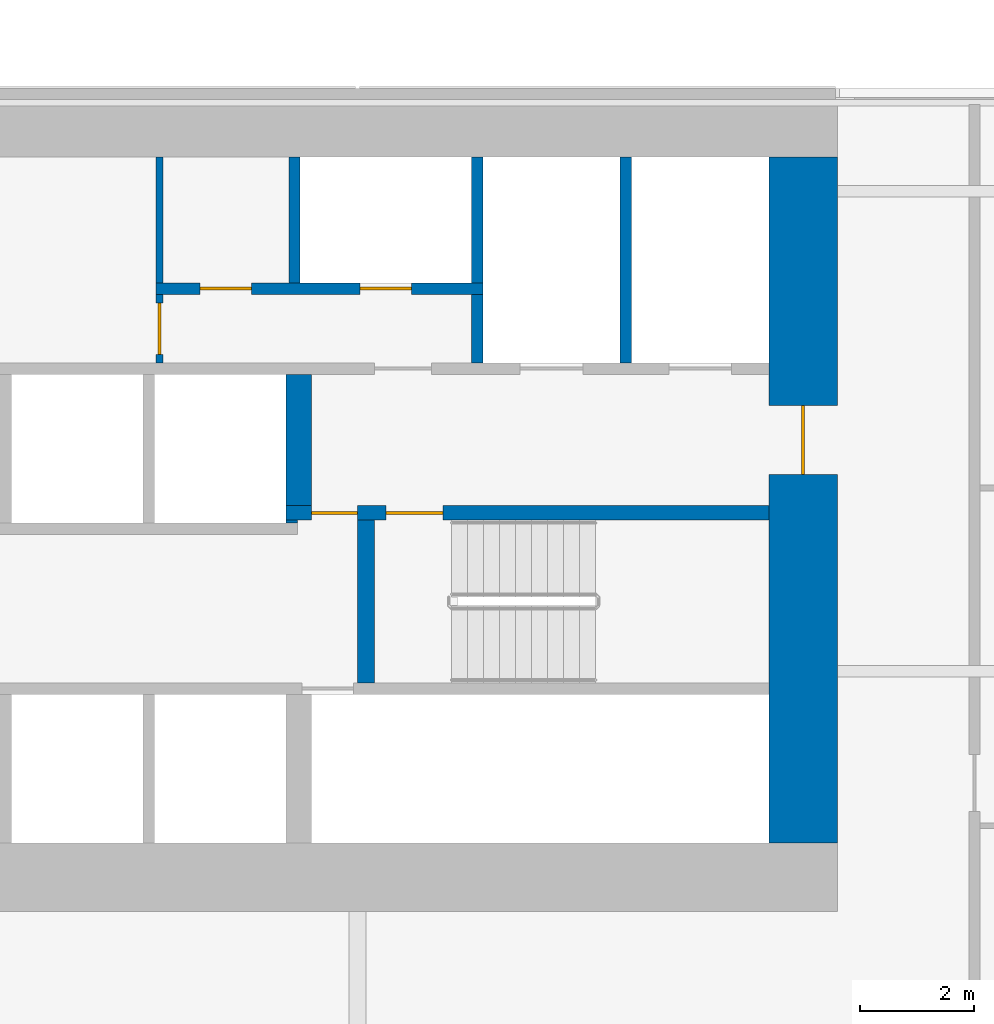
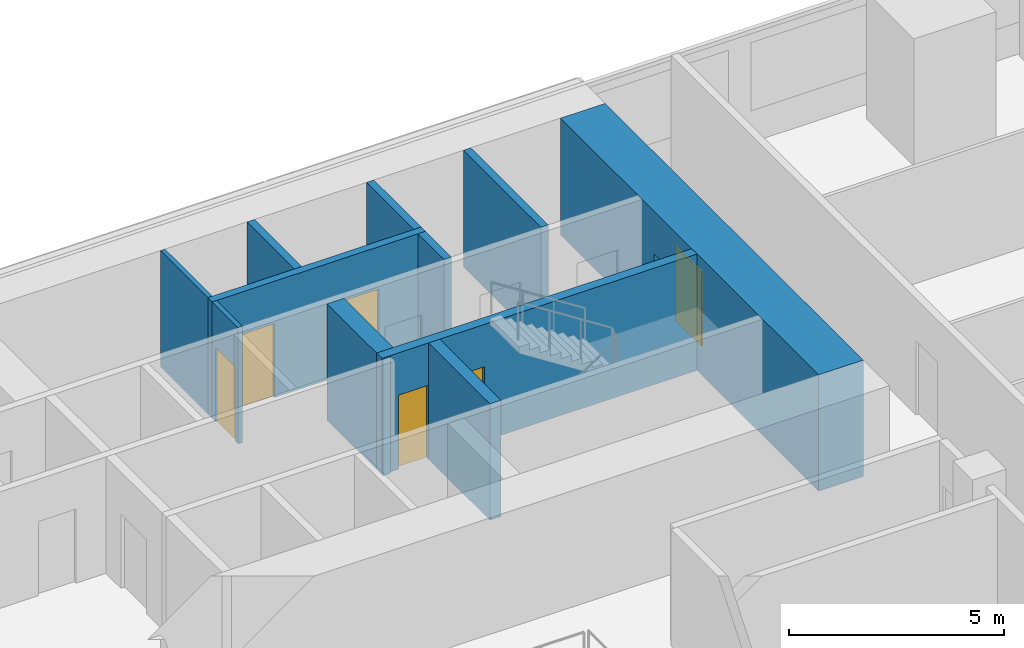
# One storey, part 21 of 25: 12 walls, 6 doors, 6 openings.
"""IFC4 building model written with IfcOpenShell, lengths in metres."""

from ifc_helpers import new_model, si_unit, direction, frame, frame_2d, origin, place, context, subcontext, project, spatial, rectangle, extrude, material, layer, layer_set, type_object, element, fill, save


model = new_model("IFC4")

# Units and contexts
model_context = context("Model", 3, precision=1e-05, world=origin(), true_north=direction((0.0, 1.0)))
body_context = subcontext(model_context, "Body", "Model", "MODEL_VIEW")
ifc_project = project(units=[si_unit("LENGTHUNIT", "METRE"), si_unit("AREAUNIT", "SQUARE_METRE"), si_unit("VOLUMEUNIT", "CUBIC_METRE"), si_unit("PLANEANGLEUNIT", "RADIAN"), si_unit("MASSUNIT", "GRAM", prefix="KILO")], contexts=[model_context])

# Site, building, storey
site_placement = place(None, origin())
site = spatial("IfcSite", under=ifc_project, at=site_placement, CompositionType="ELEMENT")
building_placement = place(site_placement, origin())
building = spatial("IfcBuilding", under=site, at=building_placement, Name="Saffron Gate Tower", CompositionType="ELEMENT")
storey_placement = place(building_placement, frame((0.0, 0.0, 80.39990234375)))
storey = spatial("IfcBuildingStorey", under=building, at=storey_placement, Name="L19", CompositionType="ELEMENT", Elevation=80.39990234375)

# Wall, opening, door
ifc_material_1 = material(Name="Concrete C70", Category="concrete")
ifc_layer_1 = layer(ifc_material_1, 1.199951171875)
ifc_layer_set_1 = layer_set([ifc_layer_1], Name="CW1 RC core wall 1200 C70")
wall_type_1 = type_object("IfcWallType", Name="CW1 RC core wall 1200 C70", PredefinedType="SOLIDWALL", material=ifc_layer_set_1)
wall_1_placement = place(storey_placement, frame((108.0, 62.39990234375, 0.0), z_axis=(0.0, 0.0, 1.0), x_axis=(0.0, 1.0, 0.0)))
wall_1 = element("IfcWall", 1, at=wall_1_placement, inside=storey, type_object=wall_type_1, Name="Wall CW1-L19-4", PredefinedType="SOLIDWALL", context=body_context, shape_type="SweptSolid", body=[
    extrude(rectangle(XDim=12.0, YDim=1.199951171875, at=frame_2d((6.0, 0.0))), origin(), (0.0, 0.0, 1.0), 3.300048828125),
])
opening_1_placement = place(wall_1_placement, frame((6.449951171875, 0.0, 0.0)))
opening_1 = element("IfcOpeningElement", 2, at=opening_1_placement, cuts=wall_1, Name="Opening CR-08", PredefinedType="OPENING", context=body_context, shape_type="SweptSolid", body=[
    extrude(rectangle(XDim=1.199951171875, YDim=2.10009765625, at=frame_2d((0.60009765625, 1.050048828125))), frame((0.0, 0.60986328125, 0.0), z_axis=(0.0, -1.0, 0.0), x_axis=(1.0, 0.0, 0.0)), (0.0, 0.0, 1.0), 1.219970703125),
])
ifc_material_2 = material(Name="Steel fire door set", Category="steel")
door_type_1 = type_object("IfcDoorType", Name="CD7 Core entrance door 1200x2100 EI 120", OperationType="NOTDEFINED", PredefinedType="DOOR", material=ifc_material_2)
door_1_placement = place(opening_1_placement, origin())
door_1 = element("IfcDoor", 3, at=door_1_placement, inside=storey, type_object=door_type_1, Name="DOOR CR-08", OperationType="SINGLE_SWING_RIGHT", OverallHeight=2.10009765625, OverallWidth=1.199951171875, PredefinedType="DOOR", context=body_context, shape_type="SweptSolid", body=[
    extrude(rectangle(XDim=1.199951171875, YDim=2.10009765625, at=frame_2d((0.60009765625, 1.050048828125))), frame((0.0, 0.02490234375, 0.0), z_axis=(0.0, -1.0, 0.0), x_axis=(1.0, 0.0, 0.0)), (0.0, 0.0, 1.0), 0.050048828125),
])
fill(opening_1, door_1)

# Wall, openings, doors
ifc_layer_2 = layer(ifc_material_1, 0.25)
ifc_layer_set_2 = layer_set([ifc_layer_2], Name="CW2 RC core wall 250 C70")
wall_type_2 = type_object("IfcWallType", Name="CW2 RC core wall 250 C70", PredefinedType="SOLIDWALL", material=ifc_layer_set_2)
wall_2_placement = place(storey_placement, frame((98.949951171875, 68.175048828125, 0.0), z_axis=(0.0, 0.0, 1.0), x_axis=(1.0, 0.0, 0.0)))
wall_2 = element("IfcWall", 4, at=wall_2_placement, inside=storey, type_object=wall_type_2, Name="Wall CW2-L19-30", PredefinedType="SOLIDWALL", context=body_context, shape_type="SweptSolid", body=[
    extrude(rectangle(XDim=8.449951171875, YDim=0.25, at=frame_2d((4.22509765625, 0.0))), origin(), (0.0, 0.0, 1.0), 3.300048828125),
])
opening_2_placement = place(wall_2_placement, frame((0.449951171875, 0.0, 0.0)))
opening_2 = element("IfcOpeningElement", 5, at=opening_2_placement, cuts=wall_2, Name="Opening CR-05", PredefinedType="OPENING", context=body_context, shape_type="SweptSolid", body=[
    extrude(rectangle(XDim=0.800048828125, YDim=2.10009765625, at=frame_2d((0.39990234375, 1.050048828125))), frame((0.0, 0.135009765625, 0.0), z_axis=(0.0, -1.0, 0.0), x_axis=(1.0, 0.0, 0.0)), (0.0, 0.0, 1.0), 0.27001953125),
])
opening_3_placement = place(wall_2_placement, frame((1.75, 0.0, 0.0)))
opening_3 = element("IfcOpeningElement", 6, at=opening_3_placement, cuts=wall_2, Name="Opening CR-16", PredefinedType="OPENING", context=body_context, shape_type="SweptSolid", body=[
    extrude(rectangle(XDim=1.0, YDim=2.10009765625, at=frame_2d((0.5, 1.050048828125))), frame((0.0, 0.135009765625, 0.0), z_axis=(0.0, -1.0, 0.0), x_axis=(1.0, 0.0, 0.0)), (0.0, 0.0, 1.0), 0.27001953125),
])
door_type_2 = type_object("IfcDoorType", Name="CD5 Stair door 1000x2100 EI 120", OperationType="NOTDEFINED", PredefinedType="DOOR", material=ifc_material_2)
door_2_placement = place(opening_3_placement, origin())
door_2 = element("IfcDoor", 7, at=door_2_placement, inside=storey, type_object=door_type_2, Name="DOOR CR-16", OperationType="SINGLE_SWING_RIGHT", OverallHeight=2.10009765625, OverallWidth=1.0, PredefinedType="DOOR", context=body_context, shape_type="SweptSolid", body=[
    extrude(rectangle(XDim=1.0, YDim=2.10009765625, at=frame_2d((0.5, 1.050048828125))), frame((0.0, 0.02490234375, 0.0), z_axis=(0.0, -1.0, 0.0), x_axis=(1.0, 0.0, 0.0)), (0.0, 0.0, 1.0), 0.050048828125),
])
fill(opening_3, door_2)
door_type_3 = type_object("IfcDoorType", Name="CD6 Lobby door 800x2100 EI 120", OperationType="NOTDEFINED", PredefinedType="DOOR", material=ifc_material_2)
door_3_placement = place(opening_2_placement, origin())
door_3 = element("IfcDoor", 8, at=door_3_placement, inside=storey, type_object=door_type_3, Name="DOOR CR-05", OperationType="SINGLE_SWING_LEFT", OverallHeight=2.10009765625, OverallWidth=0.800048828125, PredefinedType="DOOR", context=body_context, shape_type="SweptSolid", body=[
    extrude(rectangle(XDim=0.800048828125, YDim=2.10009765625, at=frame_2d((0.39990234375, 1.050048828125))), frame((0.0, 0.02490234375, 0.0), z_axis=(0.0, -1.0, 0.0), x_axis=(1.0, 0.0, 0.0)), (0.0, 0.0, 1.0), 0.050048828125),
])
fill(opening_2, door_3)

# Walls
ifc_layer_3 = layer(ifc_material_1, 0.199951171875)
ifc_layer_set_3 = layer_set([ifc_layer_3], Name="CW3 RC core wall 200 C70")
wall_type_3 = type_object("IfcWallType", Name="CW3 RC core wall 200 C70", PredefinedType="SOLIDWALL", material=ifc_layer_set_3)
wall_3_placement = place(storey_placement, frame((102.300048828125, 70.800048828125, 0.0), z_axis=(0.0, 0.0, 1.0), x_axis=(0.0, 1.0, 0.0)))
element("IfcWall", 9, at=wall_3_placement, inside=storey, type_object=wall_type_3, Name="Wall CW3-L19-39", PredefinedType="SOLIDWALL", context=body_context, shape_type="SweptSolid", body=[
    extrude(rectangle(XDim=1.199951171875, YDim=0.199951171875, at=frame_2d((0.60009765625, 0.0))), origin(), (0.0, 0.0, 1.0), 3.300048828125),
])
wall_4_placement = place(storey_placement, frame((104.89990234375, 70.800048828125, 0.0), z_axis=(0.0, 0.0, 1.0), x_axis=(0.0, 1.0, 0.0)))
element("IfcWall", 10, at=wall_4_placement, inside=storey, type_object=wall_type_3, Name="Wall CW3-L19-40", PredefinedType="SOLIDWALL", context=body_context, shape_type="SweptSolid", body=[
    extrude(rectangle(XDim=3.599853515625, YDim=0.199951171875, at=frame_2d((1.7998046875, 0.0))), origin(), (0.0, 0.0, 1.0), 3.300048828125),
])

# Wall, openings, doors
wall_5_placement = place(storey_placement, frame((96.679931640625, 72.10009765625, 0.0), z_axis=(0.0, 0.0, 1.0), x_axis=(1.0, 0.0, 0.0)))
wall_5 = element("IfcWall", 11, at=wall_5_placement, inside=storey, type_object=wall_type_3, Name="Wall CW3-L19-42", PredefinedType="SOLIDWALL", context=body_context, shape_type="SweptSolid", body=[
    extrude(rectangle(XDim=5.719970703125, YDim=0.199951171875, at=frame_2d((2.85986328125, 0.0))), origin(), (0.0, 0.0, 1.0), 3.300048828125),
])
opening_4_placement = place(wall_5_placement, frame((0.77001953125, 0.0, 0.0)))
opening_4 = element("IfcOpeningElement", 12, at=opening_4_placement, cuts=wall_5, Name="Opening CR-50", PredefinedType="OPENING", context=body_context, shape_type="SweptSolid", body=[
    extrude(rectangle(XDim=0.89990234375, YDim=2.10009765625, at=frame_2d((0.449951171875, 1.050048828125))), frame((0.0, 0.10986328125, 0.0), z_axis=(0.0, -1.0, 0.0), x_axis=(1.0, 0.0, 0.0)), (0.0, 0.0, 1.0), 0.219970703125),
])
opening_5_placement = place(wall_5_placement, frame((3.570068359375, 0.0, 0.0)))
opening_5 = element("IfcOpeningElement", 13, at=opening_5_placement, cuts=wall_5, Name="Opening CR-70", PredefinedType="OPENING", context=body_context, shape_type="SweptSolid", body=[
    extrude(rectangle(XDim=0.89990234375, YDim=2.10009765625, at=frame_2d((0.449951171875, 1.050048828125))), frame((0.0, 0.10986328125, 0.0), z_axis=(0.0, -1.0, 0.0), x_axis=(1.0, 0.0, 0.0)), (0.0, 0.0, 1.0), 0.219970703125),
])
door_type_4 = type_object("IfcDoorType", Name="CD2 Riser door 900x2100 EI 60", OperationType="NOTDEFINED", PredefinedType="DOOR", material=ifc_material_2)
door_4_placement = place(opening_5_placement, origin())
door_4 = element("IfcDoor", 14, at=door_4_placement, inside=storey, type_object=door_type_4, Name="DOOR CR-70", OperationType="SINGLE_SWING_LEFT", OverallHeight=2.10009765625, OverallWidth=0.89990234375, PredefinedType="DOOR", context=body_context, shape_type="SweptSolid", body=[
    extrude(rectangle(XDim=0.89990234375, YDim=2.10009765625, at=frame_2d((0.449951171875, 1.050048828125))), frame((0.0, 0.02490234375, 0.0), z_axis=(0.0, -1.0, 0.0), x_axis=(1.0, 0.0, 0.0)), (0.0, 0.0, 1.0), 0.050048828125),
])
fill(opening_5, door_4)
door_type_5 = type_object("IfcDoorType", Name="CD9 Room door 900x2100 EI 60", OperationType="NOTDEFINED", PredefinedType="DOOR", material=ifc_material_2)
door_5_placement = place(opening_4_placement, origin())
door_5 = element("IfcDoor", 15, at=door_5_placement, inside=storey, type_object=door_type_5, Name="DOOR CR-50", OperationType="SINGLE_SWING_LEFT", OverallHeight=2.10009765625, OverallWidth=0.89990234375, PredefinedType="DOOR", context=body_context, shape_type="SweptSolid", body=[
    extrude(rectangle(XDim=0.89990234375, YDim=2.10009765625, at=frame_2d((0.449951171875, 1.050048828125))), frame((0.0, 0.02490234375, 0.0), z_axis=(0.0, -1.0, 0.0), x_axis=(1.0, 0.0, 0.0)), (0.0, 0.0, 1.0), 0.050048828125),
])
fill(opening_4, door_5)

# Walls
for number, where, z_axis, x_axis, name in (
    (16, (99.10009765625, 72.199951171875, 0.0), (0.0, 0.0, 1.0), (0.0, 1.0, 0.0), "Wall CW3-L19-49"),
    (17, (102.300048828125, 72.199951171875, 0.0), (0.0, 0.0, 1.0), (0.0, 1.0, 0.0), "Wall CW3-L19-50"),
):
    element("IfcWall", number, at=place(storey_placement, frame(where, z_axis=z_axis, x_axis=x_axis)), inside=storey, type_object=wall_type_3, Name=name, PredefinedType="SOLIDWALL", context=body_context, shape_type="SweptSolid", body=[
        extrude(rectangle(XDim=2.199951171875, YDim=0.199951171875, at=frame_2d((1.10009765625, 0.0))), origin(), (0.0, 0.0, 1.0), 3.300048828125),
    ])
ifc_layer_4 = layer(ifc_material_1, 0.449951171875)
ifc_layer_set_4 = layer_set([ifc_layer_4], Name="CW4 RC core wall 450 C70")
wall_type_4 = type_object("IfcWallType", Name="CW4 RC core wall 450 C70", PredefinedType="SOLIDWALL", material=ifc_layer_set_4)
wall_6_placement = place(storey_placement, frame((99.175048828125, 68.300048828125, 0.0), z_axis=(0.0, 0.0, 1.0), x_axis=(0.0, 1.0, 0.0)))
element("IfcWall", 18, at=wall_6_placement, inside=storey, type_object=wall_type_4, Name="Wall CW4-L19-32", PredefinedType="SOLIDWALL", context=body_context, shape_type="SweptSolid", body=[
    extrude(rectangle(XDim=2.300048828125, YDim=0.449951171875, at=frame_2d((1.14990234375, 0.0))), origin(), (0.0, 0.0, 1.0), 3.300048828125),
])
ifc_layer_5 = layer(ifc_material_1, 0.300048828125)
ifc_layer_set_5 = layer_set([ifc_layer_5], Name="CW5 RC core wall 300 C70")
wall_type_5 = type_object("IfcWallType", Name="CW5 RC core wall 300 C70", PredefinedType="SOLIDWALL", material=ifc_layer_set_5)
wall_7_placement = place(storey_placement, frame((100.35009765625, 65.199951171875, 0.0), z_axis=(0.0, 0.0, 1.0), x_axis=(0.0, 1.0, 0.0)))
element("IfcWall", 19, at=wall_7_placement, inside=storey, type_object=wall_type_5, Name="Wall CW5-L19-19", PredefinedType="SOLIDWALL", context=body_context, shape_type="SweptSolid", body=[
    extrude(rectangle(XDim=2.85009765625, YDim=0.300048828125, at=frame_2d((1.425048828125, 0.0))), origin(), (0.0, 0.0, 1.0), 3.300048828125),
])
ifc_layer_6 = layer(ifc_material_1, 0.050048828125)
ifc_layer_set_6 = layer_set([ifc_layer_6], Name="CW6 RC core wall 50 C70")
wall_type_6 = type_object("IfcWallType", Name="CW6 RC core wall 50 C70", PredefinedType="SOLIDWALL", material=ifc_layer_set_6)
wall_8_placement = place(storey_placement, frame((98.949951171875, 68.02490234375, 0.0), z_axis=(0.0, 0.0, 1.0), x_axis=(1.0, 0.0, 0.0)))
element("IfcWall", 20, at=wall_8_placement, inside=storey, type_object=wall_type_6, Name="Wall CW6-L19-28", PredefinedType="SOLIDWALL", context=body_context, shape_type="SweptSolid", body=[
    extrude(rectangle(XDim=0.199951171875, YDim=0.050048828125, at=frame_2d((0.10009765625, 0.0))), origin(), (0.0, 0.0, 1.0), 3.300048828125),
])

# Wall, opening, door
ifc_material_3 = material(Name="Gypsum board partition on steel studs", Category="steel")
ifc_layer_7 = layer(ifc_material_3, 0.1201171875)
ifc_layer_set_7 = layer_set([ifc_layer_7], Name="CW8 Core partition 120")
wall_type_7 = type_object("IfcWallType", Name="CW8 Core partition 120", PredefinedType="PARTITIONING", material=ifc_layer_set_7)
wall_9_placement = place(storey_placement, frame((96.739990234375, 70.800048828125, 0.0), z_axis=(0.0, 0.0, 1.0), x_axis=(0.0, 1.0, 0.0)))
wall_9 = element("IfcWall", 21, at=wall_9_placement, inside=storey, type_object=wall_type_7, Name="Wall CW8-L19-38", PredefinedType="PARTITIONING", context=body_context, shape_type="SweptSolid", body=[
    extrude(rectangle(XDim=1.199951171875, YDim=0.1201171875, at=frame_2d((0.60009765625, 0.0))), origin(), (0.0, 0.0, 1.0), 3.300048828125),
])
opening_6_placement = place(wall_9_placement, frame((0.14990234375, 0.0, 0.0)))
opening_6 = element("IfcOpeningElement", 22, at=opening_6_placement, cuts=wall_9, Name="Opening CR-54", PredefinedType="OPENING", context=body_context, shape_type="SweptSolid", body=[
    extrude(rectangle(XDim=0.89990234375, YDim=2.10009765625, at=frame_2d((0.449951171875, 1.050048828125))), frame((0.0, 0.070068359375, 0.0), z_axis=(0.0, -1.0, 0.0), x_axis=(1.0, 0.0, 0.0)), (0.0, 0.0, 1.0), 0.14013671875),
])
door_6_placement = place(opening_6_placement, origin())
door_6 = element("IfcDoor", 23, at=door_6_placement, inside=storey, type_object=door_type_5, Name="DOOR CR-54", OperationType="SINGLE_SWING_LEFT", OverallHeight=2.10009765625, OverallWidth=0.89990234375, PredefinedType="DOOR", context=body_context, shape_type="SweptSolid", body=[
    extrude(rectangle(XDim=0.89990234375, YDim=2.10009765625, at=frame_2d((0.449951171875, 1.050048828125))), frame((0.0, 0.02490234375, 0.0), z_axis=(0.0, -1.0, 0.0), x_axis=(1.0, 0.0, 0.0)), (0.0, 0.0, 1.0), 0.050048828125),
])
fill(opening_6, door_6)

# Wall
wall_10_placement = place(storey_placement, frame((96.739990234375, 72.199951171875, 0.0), z_axis=(0.0, 0.0, 1.0), x_axis=(0.0, 1.0, 0.0)))
element("IfcWall", 24, at=wall_10_placement, inside=storey, type_object=wall_type_7, Name="Wall CW8-L19-48", PredefinedType="PARTITIONING", context=body_context, shape_type="SweptSolid", body=[
    extrude(rectangle(XDim=2.199951171875, YDim=0.1201171875, at=frame_2d((1.10009765625, 0.0))), origin(), (0.0, 0.0, 1.0), 3.300048828125),
])

save(model, "model.ifc")
